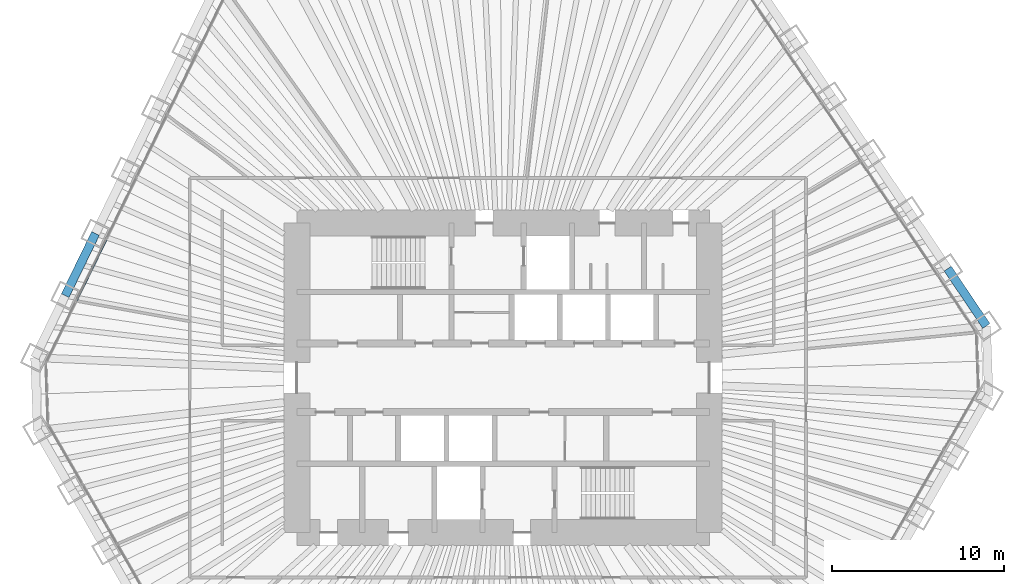
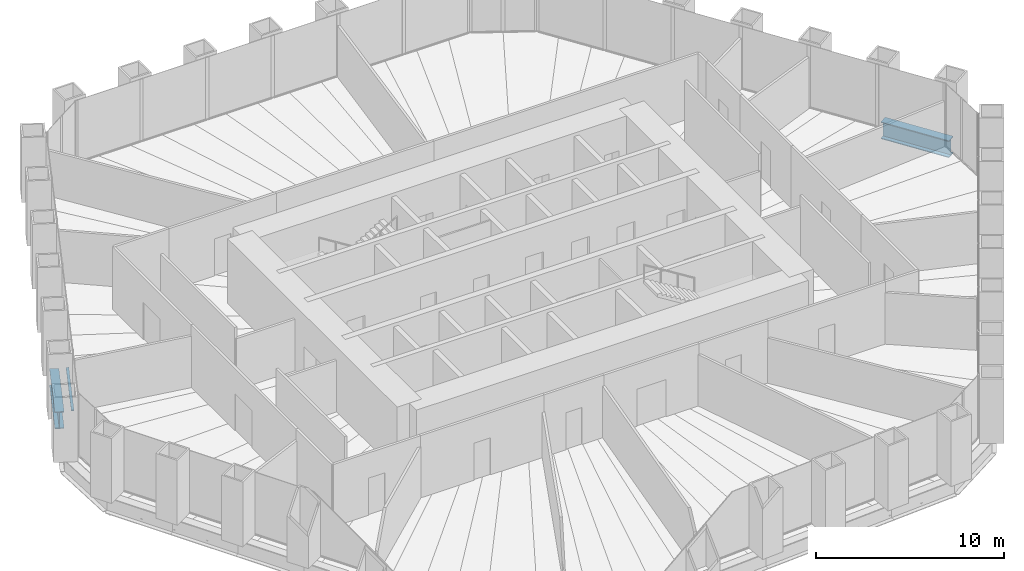
# One storey, part 5 of 13: 2 beams, 1 member, 1 element without a shape of its own.
"""IFC4 building model written with IfcOpenShell, lengths in metres."""

from ifc_helpers import new_model, si_unit, direction, frame, origin, origin_2d, place, context, subcontext, project, spatial, rectangle, i_section, extrude, material, material_profile, profile_set, type_object, element, aggregate, save


model = new_model("IFC4")

# Units and contexts
model_context = context("Model", 3, precision=1e-05, world=origin(), true_north=direction((0.0, 1.0)))
body_context = subcontext(model_context, "Body", "Model", "MODEL_VIEW")
ifc_project = project(units=[si_unit("LENGTHUNIT", "METRE"), si_unit("AREAUNIT", "SQUARE_METRE"), si_unit("VOLUMEUNIT", "CUBIC_METRE"), si_unit("PLANEANGLEUNIT", "RADIAN"), si_unit("MASSUNIT", "GRAM", prefix="KILO")], contexts=[model_context])

# Site, building, storey
site_placement = place(None, origin())
site = spatial("IfcSite", under=ifc_project, at=site_placement, CompositionType="ELEMENT")
building_placement = place(site_placement, origin())
building = spatial("IfcBuilding", under=site, at=building_placement, Name="Qingtian Harvest Tower", CompositionType="ELEMENT")
storey_placement = place(building_placement, frame((0.0, 0.0, 124.0)))
storey = spatial("IfcBuildingStorey", under=building, at=storey_placement, Name="L25", CompositionType="ELEMENT", Elevation=124.0)

# Beams
ifc_material_1 = material(Name="Steel SM570MC", Category="steel")
ifc_material_profile_1 = material_profile(ifc_material_1, i_section(OverallWidth=0.5, OverallDepth=1.10009765625, WebThickness=0.02490234375, FlangeThickness=0.050048828125, at=origin_2d()), Name="H1100x500x25x50")
ifc_profile_set_1 = profile_set([ifc_material_profile_1], Name="Steel SM570MC")
beam_type = type_object("IfcBeamType", Name="Spandrel beam SB2 H1100x500x25x50", PredefinedType="SPANDREL", material=ifc_profile_set_1)
for number, where, z_axis, x_axis, name in (
    (1, (25.8720703125, 6.3505859375, -0.550048828125), (0.55916400171, -0.829057066306, 0.0), (0.829057066306, 0.55916400171, 0.0), "Spandrel SB2 NE5"),
    (2, (-25.483154296875, 4.78125, -0.550048828125), (0.438396105405, 0.89878187274, 0.0), (-0.89878187274, 0.438396105405, 0.0), "Spandrel SB2 NW1"),
):
    element("IfcBeam", number, at=place(storey_placement, frame(where, z_axis=z_axis, x_axis=x_axis)), inside=storey, type_object=beam_type, Name=name, PredefinedType="SPANDREL", context=body_context, shape_type="SweptSolid", body=[
        extrude(i_section(OverallWidth=0.5, OverallDepth=1.10009765625, WebThickness=0.02490234375, FlangeThickness=0.050048828125, at=origin_2d()), origin(), (0.0, 0.0, 1.0), 4.01904296875),
    ])

# Curtain wall, member
ifc_material_2 = material(Name="Bronze-anodised aluminium curtain wall", Category="aluminium")
curtain_wall_type = type_object("IfcCurtainWallType", Name="Curtain wall CW4 office", PredefinedType="USERDEFINED", material=ifc_material_2)
curtain_wall_placement = place(storey_placement, origin())
curtain_wall = element("IfcCurtainWall", 3, at=curtain_wall_placement, inside=storey, type_object=curtain_wall_type, Name="Curtain wall CW4 L25 NW0-5", ObjectType="RECESSED CURTAIN WALL", PredefinedType="USERDEFINED")
ifc_material_3 = material(Name="Bronze-anodised aluminium transom", Category="aluminium")
ifc_material_profile_2 = material_profile(ifc_material_3, rectangle(XDim=0.14990234375, YDim=0.06494140625, at=origin_2d()), Name="AL 65x150")
ifc_profile_set_2 = profile_set([ifc_material_profile_2], Name="Bronze-anodised aluminium transom")
member_type = type_object("IfcMemberType", Name="Transom CWT 65x150", PredefinedType="USERDEFINED", material=ifc_profile_set_2)
member_placement = place(storey_placement, frame((-24.839599609375, 4.503662109375, 0.032470703125), z_axis=(0.438374972828, 0.898792180205, 0.0), x_axis=(-0.898792180205, 0.438374972828, 0.0)))
member = element("IfcMember", 4, at=member_placement, type_object=member_type, Name="CW4 transom 2.1", ObjectType="TRANSOM", PredefinedType="USERDEFINED", context=body_context, shape_type="SweptSolid", body=[
    extrude(rectangle(XDim=0.14990234375, YDim=0.06494140625, at=origin_2d()), origin(), (0.0, 0.0, 1.0), 3.9541015625),
])
aggregate(curtain_wall, [member])

save(model, "model.ifc")
